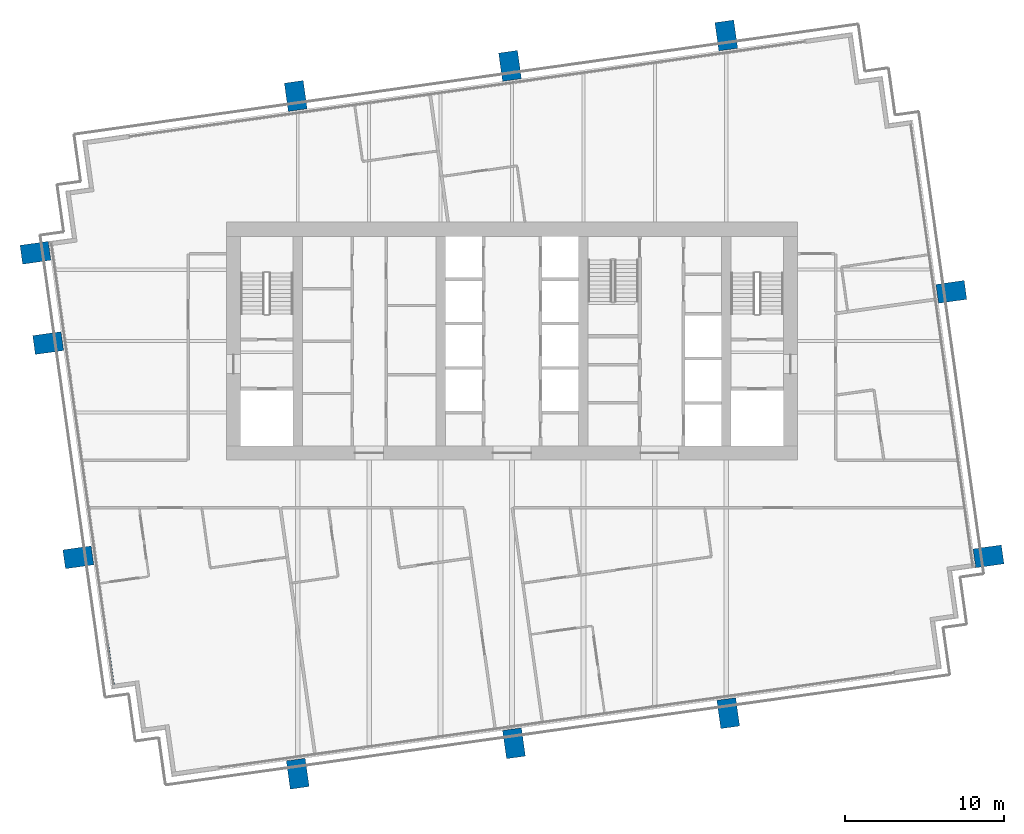
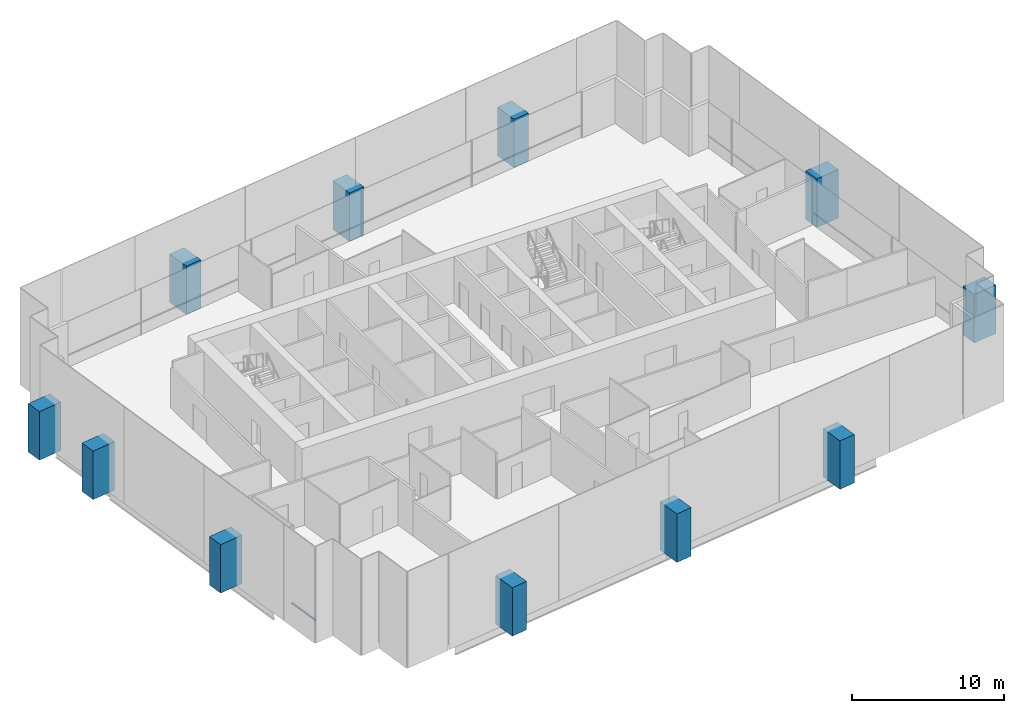
# One storey, part 1 of 17: 11 columns, 1 member, 1 element without a shape of its own.
"""IFC4 building model written with IfcOpenShell, lengths in metres."""

from ifc_helpers import new_model, si_unit, direction, frame, origin, origin_2d, place, context, subcontext, project, spatial, rectangle, extrude, material, material_profile, profile_set, type_object, element, aggregate, save


model = new_model("IFC4")

# Units and contexts
model_context = context("Model", 3, precision=1e-05, world=origin(), true_north=direction((0.0, 1.0)))
body_context = subcontext(model_context, "Body", "Model", "MODEL_VIEW")
ifc_project = project(units=[si_unit("LENGTHUNIT", "METRE"), si_unit("AREAUNIT", "SQUARE_METRE"), si_unit("VOLUMEUNIT", "CUBIC_METRE"), si_unit("PLANEANGLEUNIT", "RADIAN"), si_unit("MASSUNIT", "GRAM", prefix="KILO")], contexts=[model_context])

# Site, building, storey
site_placement = place(None, origin())
site = spatial("IfcSite", under=ifc_project, at=site_placement, CompositionType="ELEMENT")
building_placement = place(site_placement, origin())
building = spatial("IfcBuilding", under=site, at=building_placement, Name="Rattan Terrace Tower", CompositionType="ELEMENT")
storey_placement = place(building_placement, frame((0.0, 0.0, 168.5)))
storey = spatial("IfcBuildingStorey", under=building, at=storey_placement, Name="L38", CompositionType="ELEMENT", Elevation=168.5)

# Columns
ifc_material_1 = material(Name="Concrete C50/60", Category="concrete")
ifc_material_profile_1 = material_profile(ifc_material_1, rectangle(XDim=1.199951171875, YDim=1.800048828125, at=origin_2d()), Name="CFT 1800x1200")
ifc_profile_set_1 = profile_set([ifc_material_profile_1], Name="Concrete C50/60")
column_type = type_object("IfcColumnType", Name="Frame exoskeleton column CFT 1800x1200", PredefinedType="COLUMN", material=ifc_profile_set_1)
for number, where, z_axis, x_axis, name in (
    (1, (-13.5, -27.256103515625, -0.199951171875), (0.0, 0.0, 1.0), (0.99027049762, 0.139155817501, 0.0), "exo-L38-001"),
    (2, (0.125, -25.340087890625, -0.199951171875), (0.0, 0.0, 1.0), (0.99027049762, 0.139155817501, 0.0), "exo-L38-002"),
    (3, (13.625, -23.443115234375, -0.199951171875), (0.0, 0.0, 1.0), (0.99027049762, 0.139155817501, 0.0), "exo-L38-003"),
    (4, (-27.325927734375, -13.625, -0.199951171875), (0.0, 0.0, 1.0), (-0.139190384377, 0.990265639562, 0.0), "exo-L38-004"),
    (5, (30.02392578125, -13.56494140625, -0.199951171875), (0.0, 0.0, 1.0), (-0.139190384377, 0.990265639562, 0.0), "exo-L38-005"),
    (6, (-29.22412109375, -0.125, -0.199951171875), (0.0, 0.0, 1.0), (-0.139190384377, 0.990265639562, 0.0), "exo-L38-006"),
    (7, (27.680908203125, 3.10009765625, -0.199951171875), (0.0, 0.0, 1.0), (-0.139190384377, 0.990265639562, 0.0), "exo-L38-007"),
    (8, (-30.02392578125, 5.56494140625, -0.199951171875), (0.0, 0.0, 1.0), (-0.139190384377, 0.990265639562, 0.0), "exo-L38-008"),
    (9, (-13.625, 15.443115234375, -0.199951171875), (0.0, 0.0, 1.0), (0.99027049762, 0.139155817501, 0.0), "exo-L38-009"),
    (10, (-0.125, 17.340087890625, -0.199951171875), (0.0, 0.0, 1.0), (0.99027049762, 0.139155817501, 0.0), "exo-L38-010"),
    (11, (13.5, 19.256103515625, -0.199951171875), (0.0, 0.0, 1.0), (0.99027049762, 0.139155817501, 0.0), "exo-L38-011"),
):
    element("IfcColumn", number, at=place(storey_placement, frame(where, z_axis=z_axis, x_axis=x_axis)), inside=storey, type_object=column_type, Name=name, PredefinedType="COLUMN", context=body_context, shape_type="SweptSolid", body=[
        extrude(rectangle(XDim=1.199951171875, YDim=1.800048828125, at=origin_2d()), origin(), (0.0, 0.0, 1.0), 3.89990234375),
    ])

# Curtain wall, member
ifc_material_2 = material(Name="Aluminium and glass", Category="aluminium")
curtain_wall_type = type_object("IfcCurtainWallType", Name="Facade Unitised Curtain Wall", PredefinedType="NOTDEFINED", material=ifc_material_2)
curtain_wall_placement = place(storey_placement, origin())
curtain_wall = element("IfcCurtainWall", 12, at=curtain_wall_placement, inside=storey, type_object=curtain_wall_type, Name="Curtain wall L38-3", PredefinedType="NOTDEFINED")
ifc_material_3 = material(Name="Aluminium", Category="aluminium")
ifc_material_profile_2 = material_profile(ifc_material_3, rectangle(XDim=0.1201171875, YDim=0.06005859375, at=origin_2d()), Name="Aluminium 120x60")
ifc_profile_set_2 = profile_set([ifc_material_profile_2], Name="Aluminium")
member_type = type_object("IfcMemberType", Name="Facade CW Transom 120x60", PredefinedType="USERDEFINED", material=ifc_profile_set_2)
member_placement = place(storey_placement, frame((-25.47314453125, -19.122314453125, 1.0), z_axis=(0.139106713562, -0.990277396613, 0.0), x_axis=(0.990277396613, 0.139106713562, 0.0)))
member = element("IfcMember", 13, at=member_placement, type_object=member_type, Name="Transom cwl-L38-003.4", ObjectType="TRANSOM", PredefinedType="USERDEFINED", context=body_context, shape_type="SweptSolid", body=[
    extrude(rectangle(XDim=0.1201171875, YDim=0.06005859375, at=origin_2d()), origin(), (0.0, 0.0, 1.0), 2.525634765625),
])
aggregate(curtain_wall, [member])

save(model, "model.ifc")
